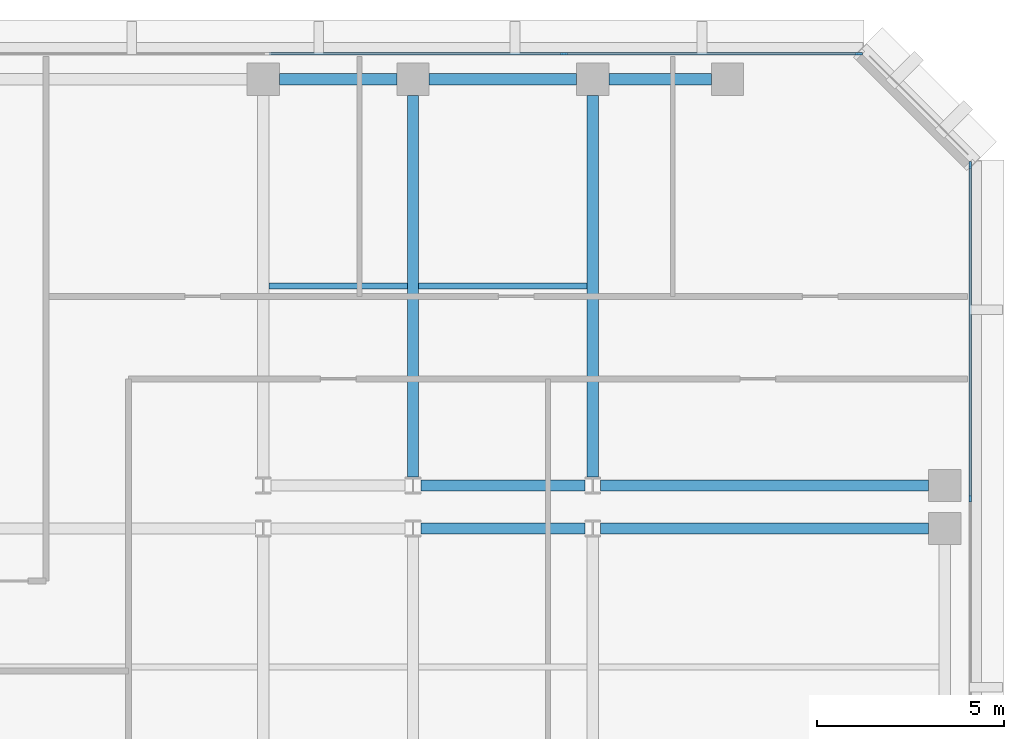
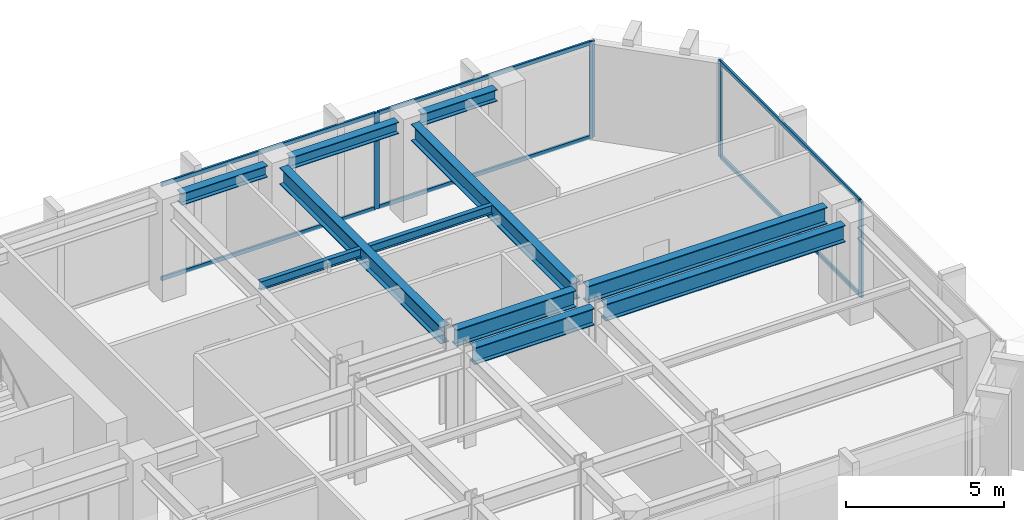
# One storey, part 5 of 11: 11 beams, 10 members, 2 elements without a shape of their own.
"""IFC4 building model written with IfcOpenShell, lengths in metres."""

from ifc_helpers import new_model, si_unit, direction, frame, origin, origin_2d, place, context, subcontext, project, spatial, rectangle, i_section, extrude, material, layer, layer_set, material_profile, profile_set, type_object, element, aggregate, save


model = new_model("IFC4")

# Units and contexts
model_context = context("Model", 3, precision=1e-05, world=origin(), true_north=direction((0.0, 1.0)))
body_context = subcontext(model_context, "Body", "Model", "MODEL_VIEW")
ifc_project = project(units=[si_unit("LENGTHUNIT", "METRE"), si_unit("AREAUNIT", "SQUARE_METRE"), si_unit("VOLUMEUNIT", "CUBIC_METRE"), si_unit("PLANEANGLEUNIT", "RADIAN"), si_unit("MASSUNIT", "GRAM", prefix="KILO")], contexts=[model_context])

# Site, building, storey
site_placement = place(None, origin())
site = spatial("IfcSite", under=ifc_project, at=site_placement, CompositionType="ELEMENT")
building_placement = place(site_placement, origin())
building = spatial("IfcBuilding", under=site, at=building_placement, Name="Kefirva Bronze Tower", CompositionType="ELEMENT")
storey_placement = place(building_placement, frame((0.0, 0.0, 179.52001953125)))
storey = spatial("IfcBuildingStorey", under=building, at=storey_placement, Name="L43", CompositionType="ELEMENT", Elevation=179.52001953125)

# Curtain wall, members
ifc_material_1 = material(Name="Bronze anodised aluminium", Category="aluminium")
ifc_layer = layer(ifc_material_1, 0.199951171875, Name="Bronze anodised aluminium")
ifc_layer_set = layer_set([ifc_layer], Name="Bronze anodised aluminium")
curtain_wall_type = type_object("IfcCurtainWallType", Name="Unitised Bronze Ribbon Curtain Wall Zone 2", PredefinedType="USERDEFINED", material=ifc_layer_set)
curtain_wall_1_placement = place(storey_placement, origin())
curtain_wall_1 = element("IfcCurtainWall", 1, at=curtain_wall_1_placement, inside=storey, type_object=curtain_wall_type, Name="L43 Curtain Wall 4", ObjectType="UNITISED CURTAIN WALL", PredefinedType="USERDEFINED")
ifc_material_profile_1 = material_profile(ifc_material_1, rectangle(XDim=0.074951171875, YDim=0.179931640625, at=origin_2d()), Name="ALU 75x180")
ifc_profile_set_1 = profile_set([ifc_material_profile_1], Name="Bronze anodised aluminium")
member_type_1 = type_object("IfcMemberType", Name="Bronze Mullion 75x180", PredefinedType="MULLION", material=ifc_profile_set_1)
member_1_placement = place(storey_placement, frame((50.080078125, 34.0, 0.0), z_axis=(0.0, 0.0, 1.0), x_axis=(-1.0, 0.0, 0.0)))
member_1 = element("IfcMember", 2, at=member_1_placement, type_object=member_type_1, Name="CW-02 mullion 2", PredefinedType="MULLION", context=body_context, shape_type="SweptSolid", body=[
    extrude(rectangle(XDim=0.074951171875, YDim=0.179931640625, at=origin_2d()), origin(), (0.0, 0.0, 1.0), 3.7099609375),
])
member_2_placement = place(storey_placement, frame((50.080078125, 42.907470703125, 0.0), z_axis=(0.0, 0.0, 1.0), x_axis=(-1.0, 0.0, 0.0)))
member_2 = element("IfcMember", 3, at=member_2_placement, type_object=member_type_1, Name="CW-02 mullion 3", PredefinedType="MULLION", context=body_context, shape_type="SweptSolid", body=[
    extrude(rectangle(XDim=0.074951171875, YDim=0.179931640625, at=origin_2d()), origin(), (0.0, 0.0, 1.0), 3.7099609375),
])

curtain_wall_2_placement = place(storey_placement, origin())
curtain_wall_2 = element("IfcCurtainWall", 4, at=curtain_wall_2_placement, inside=storey, type_object=curtain_wall_type, Name="L43 Curtain Wall 5", ObjectType="UNITISED CURTAIN WALL", PredefinedType="USERDEFINED")
member_3_placement = place(storey_placement, frame((47.107421875, 45.8798828125, 0.0), z_axis=(0.0, 0.0, 1.0), x_axis=(0.0, -1.0, 0.0)))
member_3 = element("IfcMember", 5, at=member_3_placement, type_object=member_type_1, Name="CW-02 mullion 1", PredefinedType="MULLION", context=body_context, shape_type="SweptSolid", body=[
    extrude(rectangle(XDim=0.074951171875, YDim=0.179931640625, at=origin_2d()), origin(), (0.0, 0.0, 1.0), 3.7099609375),
])
member_4_placement = place(storey_placement, frame((39.231689453125, 45.8798828125, 0.0), z_axis=(0.0, 0.0, 1.0), x_axis=(0.0, -1.0, 0.0)))
member_4 = element("IfcMember", 6, at=member_4_placement, type_object=member_type_1, Name="CW-02 mullion 2", PredefinedType="MULLION", context=body_context, shape_type="SweptSolid", body=[
    extrude(rectangle(XDim=0.074951171875, YDim=0.179931640625, at=origin_2d()), origin(), (0.0, 0.0, 1.0), 3.7099609375),
])

# Member
ifc_material_profile_2 = material_profile(ifc_material_1, rectangle(XDim=0.074951171875, YDim=0.14990234375, at=origin_2d()), Name="ALU 75x150")
ifc_profile_set_2 = profile_set([ifc_material_profile_2], Name="Bronze anodised aluminium")
member_type_2 = type_object("IfcMemberType", Name="Bronze Transom 75x150", PredefinedType="USERDEFINED", material=ifc_profile_set_2)
member_5_placement = place(storey_placement, frame((50.080078125, 34.03759765625, 0.03759765625), z_axis=(0.0, 1.0, 0.0), x_axis=(-1.0, 0.0, 0.0)))
member_5 = element("IfcMember", 7, at=member_5_placement, type_object=member_type_2, Name="CW-02 transom 2.1", ObjectType="TRANSOM", PredefinedType="USERDEFINED", context=body_context, shape_type="SweptSolid", body=[
    extrude(rectangle(XDim=0.074951171875, YDim=0.14990234375, at=origin_2d()), origin(), (0.0, 0.0, 1.0), 8.83251953125),
])

member_6_placement = place(storey_placement, frame((50.080078125, 34.03759765625, 3.67236328125), z_axis=(0.0, 1.0, 0.0), x_axis=(-1.0, 0.0, 0.0)))
member_6 = element("IfcMember", 8, at=member_6_placement, type_object=member_type_2, Name="CW-02 transom 2.2", ObjectType="TRANSOM", PredefinedType="USERDEFINED", context=body_context, shape_type="SweptSolid", body=[
    extrude(rectangle(XDim=0.074951171875, YDim=0.14990234375, at=origin_2d()), origin(), (0.0, 0.0, 1.0), 8.83251953125),
])

aggregate(curtain_wall_1, [member_1, member_2, member_5, member_6])

member_7_placement = place(storey_placement, frame((47.070068359375, 45.8798828125, 0.03759765625), z_axis=(-1.0, 0.0, 0.0), x_axis=(0.0, -1.0, 0.0)))
member_7 = element("IfcMember", 9, at=member_7_placement, type_object=member_type_2, Name="CW-02 transom 1.1", ObjectType="TRANSOM", PredefinedType="USERDEFINED", context=body_context, shape_type="SweptSolid", body=[
    extrude(rectangle(XDim=0.074951171875, YDim=0.14990234375, at=origin_2d()), origin(), (0.0, 0.0, 1.0), 7.80078125),
])

member_8_placement = place(storey_placement, frame((47.070068359375, 45.8798828125, 3.67236328125), z_axis=(-1.0, 0.0, 0.0), x_axis=(0.0, -1.0, 0.0)))
member_8 = element("IfcMember", 10, at=member_8_placement, type_object=member_type_2, Name="CW-02 transom 1.2", ObjectType="TRANSOM", PredefinedType="USERDEFINED", context=body_context, shape_type="SweptSolid", body=[
    extrude(rectangle(XDim=0.074951171875, YDim=0.14990234375, at=origin_2d()), origin(), (0.0, 0.0, 1.0), 7.80078125),
])

member_9_placement = place(storey_placement, frame((39.194091796875, 45.8798828125, 0.03759765625), z_axis=(-1.0, 0.0, 0.0), x_axis=(0.0, -1.0, 0.0)))
member_9 = element("IfcMember", 11, at=member_9_placement, type_object=member_type_2, Name="CW-02 transom 2.1", ObjectType="TRANSOM", PredefinedType="USERDEFINED", context=body_context, shape_type="SweptSolid", body=[
    extrude(rectangle(XDim=0.074951171875, YDim=0.14990234375, at=origin_2d()), origin(), (0.0, 0.0, 1.0), 7.83837890625),
])

member_10_placement = place(storey_placement, frame((39.194091796875, 45.8798828125, 3.67236328125), z_axis=(-1.0, 0.0, 0.0), x_axis=(0.0, -1.0, 0.0)))
member_10 = element("IfcMember", 12, at=member_10_placement, type_object=member_type_2, Name="CW-02 transom 2.2", ObjectType="TRANSOM", PredefinedType="USERDEFINED", context=body_context, shape_type="SweptSolid", body=[
    extrude(rectangle(XDim=0.074951171875, YDim=0.14990234375, at=origin_2d()), origin(), (0.0, 0.0, 1.0), 7.83837890625),
])

aggregate(curtain_wall_2, [member_3, member_4, member_7, member_8, member_9, member_10])

# Beams
ifc_material_2 = material(Name="Steel S355", Category="steel")
ifc_material_profile_3 = material_profile(ifc_material_2, i_section(OverallWidth=0.159912109375, OverallDepth=0.330078125, WebThickness=0.007568359375, FlangeThickness=0.011474609375, at=origin_2d()), Name="IPE 330")
ifc_profile_set_3 = profile_set([ifc_material_profile_3], Name="Steel S355")
beam_type_1 = type_object("IfcBeamType", Name="Steel Floor Joist IPE 330", PredefinedType="JOIST", material=ifc_profile_set_3)
beam_1_placement = place(storey_placement, frame((31.35009765625, 39.673583984375, 3.544921875), z_axis=(1.0, 0.0, 0.0), x_axis=(0.0, 1.0, 0.0)))
element("IfcBeam", 13, at=beam_1_placement, inside=storey, type_object=beam_type_1, Name="L43 JST-L43-31-396", PredefinedType="JOIST", context=body_context, shape_type="SweptSolid", body=[
    extrude(i_section(OverallWidth=0.159912109375, OverallDepth=0.330078125, WebThickness=0.007568359375, FlangeThickness=0.011474609375, at=origin_2d()), origin(), (0.0, 0.0, 1.0), 3.699951171875),
])
beam_2_placement = place(storey_placement, frame((35.35009765625, 39.673583984375, 3.544921875), z_axis=(1.0, 0.0, 0.0), x_axis=(0.0, 1.0, 0.0)))
element("IfcBeam", 14, at=beam_2_placement, inside=storey, type_object=beam_type_1, Name="L43 JST-L43-35-396", PredefinedType="JOIST", context=body_context, shape_type="SweptSolid", body=[
    extrude(i_section(OverallWidth=0.159912109375, OverallDepth=0.330078125, WebThickness=0.007568359375, FlangeThickness=0.011474609375, at=origin_2d()), origin(), (0.0, 0.0, 1.0), 4.5),
])
ifc_material_profile_4 = material_profile(ifc_material_2, i_section(OverallWidth=0.300048828125, OverallDepth=0.64990234375, WebThickness=0.01611328125, FlangeThickness=0.031005859375, at=origin_2d()), Name="HEB 650")
ifc_profile_set_4 = profile_set([ifc_material_profile_4], Name="Steel S355")
beam_type_2 = type_object("IfcBeamType", Name="Steel Girder HEB 650", PredefinedType="USERDEFINED", material=ifc_profile_set_4)
beam_3_placement = place(storey_placement, frame((35.408935546875, 33.199951171875, 3.385009765625), z_axis=(1.0, 0.0, 0.0), x_axis=(0.0, 1.0, 0.0)))
element("IfcBeam", 15, at=beam_3_placement, inside=storey, type_object=beam_type_2, Name="L43 BM-L43-EW-35-332", ObjectType="GIRDER", PredefinedType="USERDEFINED", context=body_context, shape_type="SweptSolid", body=[
    extrude(i_section(OverallWidth=0.300048828125, OverallDepth=0.64990234375, WebThickness=0.01611328125, FlangeThickness=0.031005859375, at=origin_2d()), origin(), (0.0, 0.0, 1.0), 4.382080078125),
])
beam_4_placement = place(storey_placement, frame((40.208984375, 33.199951171875, 3.385009765625), z_axis=(1.0, 0.0, 0.0), x_axis=(0.0, 1.0, 0.0)))
element("IfcBeam", 16, at=beam_4_placement, inside=storey, type_object=beam_type_2, Name="L43 BM-L43-EW-40-332", ObjectType="GIRDER", PredefinedType="USERDEFINED", context=body_context, shape_type="SweptSolid", body=[
    extrude(i_section(OverallWidth=0.300048828125, OverallDepth=0.64990234375, WebThickness=0.01611328125, FlangeThickness=0.031005859375, at=origin_2d()), origin(), (0.0, 0.0, 1.0), 8.760986328125),
])
beam_5_placement = place(storey_placement, frame((35.408935546875, 34.35009765625, 3.385009765625), z_axis=(1.0, 0.0, 0.0), x_axis=(0.0, 1.0, 0.0)))
element("IfcBeam", 17, at=beam_5_placement, inside=storey, type_object=beam_type_2, Name="L43 BM-L43-EW-35-344", ObjectType="GIRDER", PredefinedType="USERDEFINED", context=body_context, shape_type="SweptSolid", body=[
    extrude(i_section(OverallWidth=0.300048828125, OverallDepth=0.64990234375, WebThickness=0.01611328125, FlangeThickness=0.031005859375, at=origin_2d()), origin(), (0.0, 0.0, 1.0), 4.382080078125),
])
beam_6_placement = place(storey_placement, frame((40.208984375, 34.35009765625, 3.385009765625), z_axis=(1.0, 0.0, 0.0), x_axis=(0.0, 1.0, 0.0)))
element("IfcBeam", 18, at=beam_6_placement, inside=storey, type_object=beam_type_2, Name="L43 BM-L43-EW-40-344", ObjectType="GIRDER", PredefinedType="USERDEFINED", context=body_context, shape_type="SweptSolid", body=[
    extrude(i_section(OverallWidth=0.300048828125, OverallDepth=0.64990234375, WebThickness=0.01611328125, FlangeThickness=0.031005859375, at=origin_2d()), origin(), (0.0, 0.0, 1.0), 8.760986328125),
])
for number, where, z_axis, x_axis, name in (
    (19, (35.199951171875, 34.577392578125, 3.385009765625), (0.0, 1.0, 0.0), (-1.0, 0.0, 0.0), "L43 BM-L43-NS-352-34"),
    (20, (40.0, 34.577392578125, 3.385009765625), (0.0, 1.0, 0.0), (-1.0, 0.0, 0.0), "L43 BM-L43-NS-400-34"),
):
    element("IfcBeam", number, at=place(storey_placement, frame(where, z_axis=z_axis, x_axis=x_axis)), inside=storey, type_object=beam_type_2, Name=name, ObjectType="GIRDER", PredefinedType="USERDEFINED", context=body_context, shape_type="SweptSolid", body=[
        extrude(i_section(OverallWidth=0.300048828125, OverallDepth=0.64990234375, WebThickness=0.01611328125, FlangeThickness=0.031005859375, at=origin_2d()), origin(), (0.0, 0.0, 1.0), 10.192626953125),
    ])
ifc_material_profile_5 = material_profile(ifc_material_2, i_section(OverallWidth=0.300048828125, OverallDepth=0.449951171875, WebThickness=0.013916015625, FlangeThickness=0.02587890625, at=origin_2d()), Name="HEB 450")
ifc_profile_set_5 = profile_set([ifc_material_profile_5], Name="Steel S355")
beam_type_3 = type_object("IfcBeamType", Name="Steel Spandrel HEB 450 Ext", PredefinedType="SPANDREL", material=ifc_profile_set_5)
beam_7_placement = place(storey_placement, frame((31.6298828125, 45.199951171875, 3.48486328125), z_axis=(1.0, 0.0, 0.0), x_axis=(0.0, 1.0, 0.0)))
element("IfcBeam", 21, at=beam_7_placement, inside=storey, type_object=beam_type_3, Name="L43 BM-L43-EW-31-452", PredefinedType="SPANDREL", context=body_context, shape_type="SweptSolid", body=[
    extrude(i_section(OverallWidth=0.300048828125, OverallDepth=0.449951171875, WebThickness=0.013916015625, FlangeThickness=0.02587890625, at=origin_2d()), origin(), (0.0, 0.0, 1.0), 3.14013671875),
])
beam_8_placement = place(storey_placement, frame((35.6298828125, 45.199951171875, 3.48486328125), z_axis=(1.0, 0.0, 0.0), x_axis=(0.0, 1.0, 0.0)))
element("IfcBeam", 22, at=beam_8_placement, inside=storey, type_object=beam_type_3, Name="L43 BM-L43-EW-35-452", PredefinedType="SPANDREL", context=body_context, shape_type="SweptSolid", body=[
    extrude(i_section(OverallWidth=0.300048828125, OverallDepth=0.449951171875, WebThickness=0.013916015625, FlangeThickness=0.02587890625, at=origin_2d()), origin(), (0.0, 0.0, 1.0), 3.940185546875),
])
beam_9_placement = place(storey_placement, frame((40.429931640625, 45.199951171875, 3.48486328125), z_axis=(1.0, 0.0, 0.0), x_axis=(0.0, 1.0, 0.0)))
element("IfcBeam", 23, at=beam_9_placement, inside=storey, type_object=beam_type_3, Name="L43 BM-L43-EW-40-452", PredefinedType="SPANDREL", context=body_context, shape_type="SweptSolid", body=[
    extrude(i_section(OverallWidth=0.300048828125, OverallDepth=0.449951171875, WebThickness=0.013916015625, FlangeThickness=0.02587890625, at=origin_2d()), origin(), (0.0, 0.0, 1.0), 2.739990234375),
])

save(model, "model.ifc")
